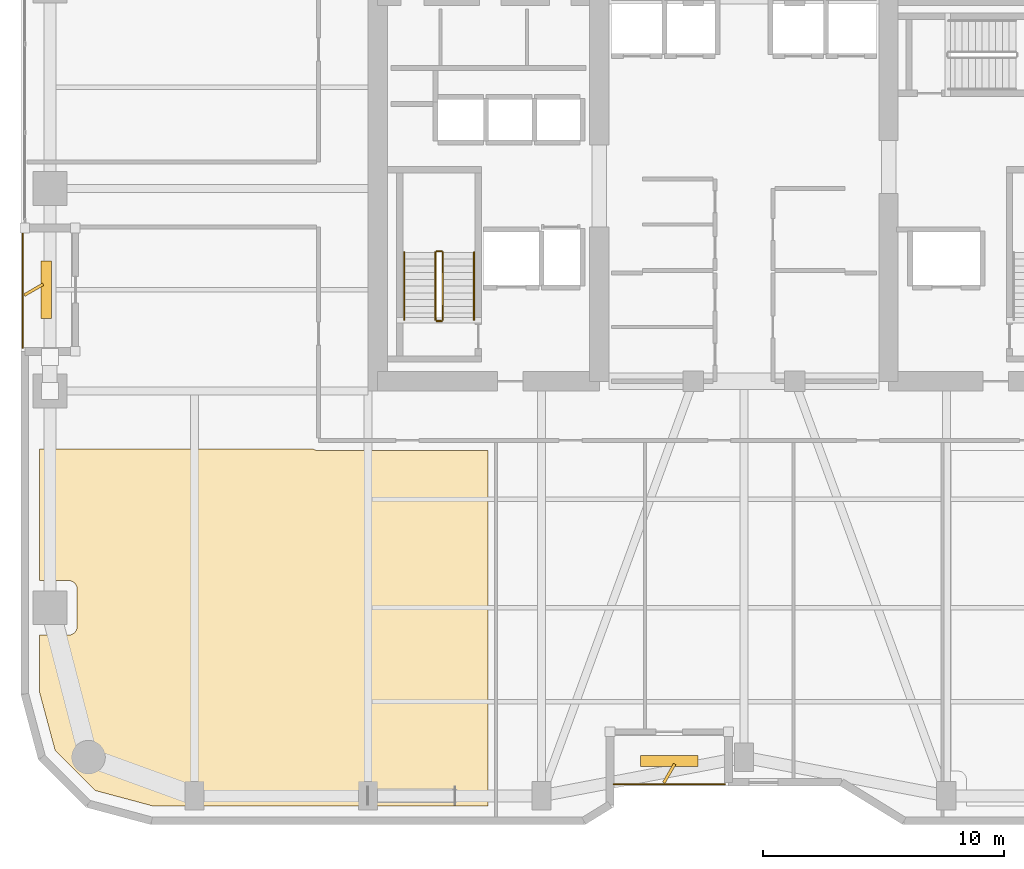
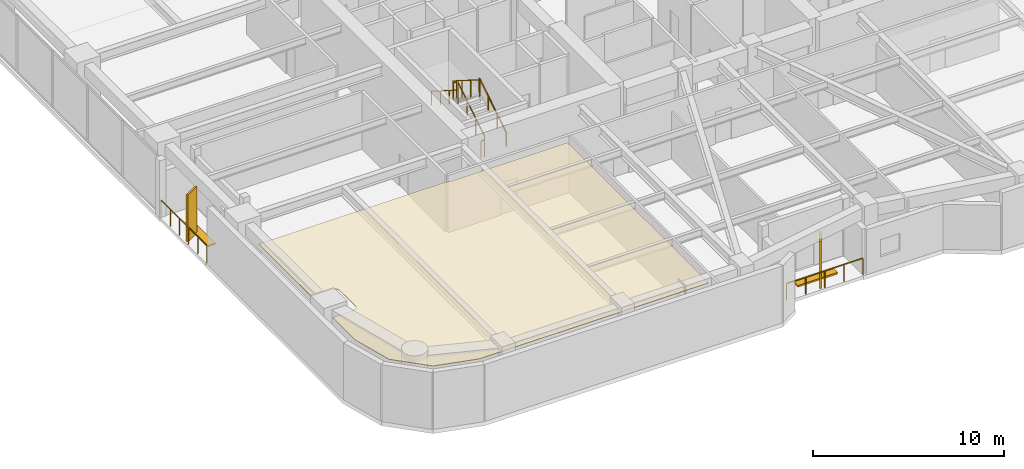
# One storey, part 22 of 24: 8 railings, 4 shading devices, 1 covering.
"""IFC4 building model written with IfcOpenShell, lengths in metres."""

from ifc_helpers import new_model, si_unit, direction, frame, origin, origin_2d, place, context, subcontext, project, spatial, polyline, rectangle, outline, extrude, material, layer, layer_set, type_object, element, save


model = new_model("IFC4")

# Units and contexts
model_context = context("Model", 3, precision=1e-05, world=origin(), true_north=direction((0.0, 1.0)))
body_context = subcontext(model_context, "Body", "Model", "MODEL_VIEW")
ifc_project = project(units=[si_unit("LENGTHUNIT", "METRE"), si_unit("AREAUNIT", "SQUARE_METRE"), si_unit("VOLUMEUNIT", "CUBIC_METRE"), si_unit("PLANEANGLEUNIT", "RADIAN"), si_unit("MASSUNIT", "GRAM", prefix="KILO")], contexts=[model_context])

# Site, building, storey
site_placement = place(None, origin())
site = spatial("IfcSite", under=ifc_project, at=site_placement, CompositionType="ELEMENT")
building_placement = place(site_placement, origin())
building = spatial("IfcBuilding", under=site, at=building_placement, Name="Kiyonajd Concourse Tower", CompositionType="ELEMENT")
storey_placement = place(building_placement, frame((0.0, 0.0, 137.699951171875)))
storey = spatial("IfcBuildingStorey", under=building, at=storey_placement, Name="L35", CompositionType="ELEMENT", Elevation=137.699951171875)

# Covering
ifc_material_1 = material(Name="Natural Oak Acoustic Timber Veneer", Category="wood")
ifc_layer = layer(ifc_material_1, 0.0400390625)
ifc_layer_set = layer_set([ifc_layer], Name="Natural Oak Acoustic Timber Veneer")
covering_type = type_object("IfcCoveringType", Name="CV-CLG-ACST", PredefinedType="CEILING", material=ifc_layer_set)
covering_placement = place(storey_placement, frame((0.0, 0.0, 3.4599609375)))
element("IfcCovering", 1, at=covering_placement, inside=storey, type_object=covering_type, Name="L35-39 Room Acoustic Ceiling", PredefinedType="CEILING", context=body_context, shape_type="SweptSolid", body=[
    extrude(outline(polyline([(19.4140625, 12.697998046875), (18.77001953125, 15.10107421875), (18.77001953125, 17.469970703125), (20.013916015625, 17.471923828125), (20.08203125, 17.485107421875), (20.14501953125, 17.510986328125), (20.201904296875, 17.549072265625), (20.2509765625, 17.597900390625), (20.2890625, 17.655029296875), (20.31494140625, 17.718017578125), (20.330078125, 17.820068359375), (20.327880859375, 19.4140625), (20.31494140625, 19.48193359375), (20.2890625, 19.544921875), (20.22705078125, 19.626953125), (20.14501953125, 19.68896484375), (20.048095703125, 19.722900390625), (19.97998046875, 19.72998046875), (18.77001953125, 19.72998046875), (18.77001953125, 25.199951171875), (30.10205078125, 25.199951171875), (30.156982421875, 25.166015625), (30.219970703125, 25.139892578125), (30.35009765625, 25.1201171875), (37.3701171875, 25.1201171875), (37.3701171875, 10.3701171875), (23.5009765625, 10.3701171875), (21.097900390625, 11.013916015625), (19.4140625, 12.697998046875)])), origin(), (0.0, 0.0, 1.0), 0.0400390625),
])

# Railings
ifc_material_2 = material(Name="Thermally Broken Anodised Aluminium", Category="aluminium")
railing_type_1 = type_object("IfcRailingType", Name="RL-GRD-LOG", PredefinedType="GUARDRAIL", material=ifc_material_2)
railing_1_placement = place(storey_placement, frame((42.60009765625, 11.280029296875, 0.0)))
element("IfcRailing", 2, at=railing_1_placement, inside=storey, type_object=railing_type_1, Name="L35 Engawa Loggia Perimeter Guard LOG-S", PredefinedType="GUARDRAIL", context=body_context, shape_type="SweptSolid", body=[
    extrude(rectangle(XDim=0.048095703125, YDim=0.048095703125, at=origin_2d()), frame((0.0, 0.0, 1.076171875), z_axis=(1.0, 0.0, 0.0), x_axis=(0.0, 1.0, 0.0)), (0.0, 0.0, 1.0), 4.599853515625),
    extrude(rectangle(XDim=0.0419921875, YDim=0.0419921875, at=origin_2d()), origin(), (0.0, 0.0, 1.0), 1.052001953125),
    extrude(rectangle(XDim=0.0419921875, YDim=0.0419921875, at=origin_2d()), frame((1.14990234375, 0.0, 0.0)), (0.0, 0.0, 1.0), 1.052001953125),
    extrude(rectangle(XDim=0.0419921875, YDim=0.0419921875, at=origin_2d()), frame((2.2998046875, 0.0, 0.0)), (0.0, 0.0, 1.0), 1.052001953125),
    extrude(rectangle(XDim=0.0419921875, YDim=0.0419921875, at=origin_2d()), frame((3.449951171875, 0.0, 0.0)), (0.0, 0.0, 1.0), 1.052001953125),
    extrude(rectangle(XDim=0.0419921875, YDim=0.0419921875, at=origin_2d()), frame((4.599853515625, 0.0, 0.0)), (0.0, 0.0, 1.0), 1.052001953125),
])
railing_2_placement = place(storey_placement, frame((18.080078125, 34.199951171875, 0.0)))
element("IfcRailing", 3, at=railing_2_placement, inside=storey, type_object=railing_type_1, Name="L35 Engawa Loggia Perimeter Guard LOG-W", PredefinedType="GUARDRAIL", context=body_context, shape_type="SweptSolid", body=[
    extrude(rectangle(XDim=0.048095703125, YDim=0.048095703125, at=origin_2d()), frame((0.0, 0.0, 1.076171875), z_axis=(0.0, -1.0, 0.0), x_axis=(1.0, 0.0, 0.0)), (0.0, 0.0, 1.0), 4.800048828125),
    extrude(rectangle(XDim=0.0419921875, YDim=0.0419921875, at=origin_2d()), origin(), (0.0, 0.0, 1.0), 1.052001953125),
    extrude(rectangle(XDim=0.0419921875, YDim=0.0419921875, at=origin_2d()), frame((0.0, -0.9599609375, 0.0)), (0.0, 0.0, 1.0), 1.052001953125),
    extrude(rectangle(XDim=0.0419921875, YDim=0.0419921875, at=origin_2d()), frame((0.0, -1.919921875, 0.0)), (0.0, 0.0, 1.0), 1.052001953125),
    extrude(rectangle(XDim=0.0419921875, YDim=0.0419921875, at=origin_2d()), frame((0.0, -2.880126953125, 0.0)), (0.0, 0.0, 1.0), 1.052001953125),
    extrude(rectangle(XDim=0.0419921875, YDim=0.0419921875, at=origin_2d()), frame((0.0, -3.840087890625, 0.0)), (0.0, 0.0, 1.0), 1.052001953125),
    extrude(rectangle(XDim=0.0419921875, YDim=0.0419921875, at=origin_2d()), frame((0.0, -4.800048828125, 0.0)), (0.0, 0.0, 1.0), 1.052001953125),
])
ifc_material_3 = material(Name="Steel ASTM A500 Grade C", Category="steel")
railing_type_2 = type_object("IfcRailingType", Name="RL-GRD-STR", PredefinedType="GUARDRAIL", material=ifc_material_3)
railing_3_placement = place(storey_placement, frame((35.5, 30.550048828125, 0.17724609375)))
element("IfcRailing", 4, at=railing_3_placement, inside=storey, type_object=railing_type_2, Name="L35 ST1 stair guard 1", PredefinedType="GUARDRAIL", context=body_context, shape_type="SweptSolid", body=[
    extrude(rectangle(XDim=0.048095703125, YDim=0.048095703125, at=origin_2d()), frame((0.0, 0.0, 1.076171875), z_axis=(0.0, 0.844908973607, 0.534910110503), x_axis=(-1.0, 0.0, 0.0)), (0.0, 0.0, 1.0), 3.31396484375),
    extrude(rectangle(XDim=0.0419921875, YDim=0.0419921875, at=origin_2d()), origin(), (0.0, 0.0, 1.0), 1.052001953125),
    extrude(rectangle(XDim=0.0419921875, YDim=0.0419921875, at=origin_2d()), frame((0.0, 0.933349609375, 0.5908203125)), (0.0, 0.0, 1.0), 1.052001953125),
    extrude(rectangle(XDim=0.0419921875, YDim=0.0419921875, at=origin_2d()), frame((0.0, 1.86669921875, 1.181884765625)), (0.0, 0.0, 1.0), 1.052001953125),
    extrude(rectangle(XDim=0.0419921875, YDim=0.0419921875, at=origin_2d()), frame((0.0, 2.800048828125, 1.772705078125)), (0.0, 0.0, 1.0), 1.052001953125),
])
railing_4_placement = place(storey_placement, frame((35.449951171875, 33.39990234375, 1.949951171875)))
element("IfcRailing", 5, at=railing_4_placement, inside=storey, type_object=railing_type_2, Name="L35 ST1 stair guard 2", PredefinedType="GUARDRAIL", context=body_context, shape_type="SweptSolid", body=[
    extrude(rectangle(XDim=0.048095703125, YDim=0.048095703125, at=origin_2d()), frame((0.0, 0.0, 1.076171875), z_axis=(-1.0, 0.0, 0.0), x_axis=(0.0, -1.0, 0.0)), (0.0, 0.0, 1.0), 0.199951171875),
    extrude(rectangle(XDim=0.0419921875, YDim=0.0419921875, at=origin_2d()), origin(), (0.0, 0.0, 1.0), 1.052001953125),
    extrude(rectangle(XDim=0.0419921875, YDim=0.0419921875, at=origin_2d()), frame((-0.199951171875, 0.0, 0.0)), (0.0, 0.0, 1.0), 1.052001953125),
])
railing_5_placement = place(storey_placement, frame((35.199951171875, 33.35009765625, 2.12744140625)))
element("IfcRailing", 6, at=railing_5_placement, inside=storey, type_object=railing_type_2, Name="L35 ST1 stair guard 3", PredefinedType="GUARDRAIL", context=body_context, shape_type="SweptSolid", body=[
    extrude(rectangle(XDim=0.048095703125, YDim=0.048095703125, at=origin_2d()), frame((0.0, 0.0, 1.076171875), z_axis=(0.0, -0.844908973607, 0.534910110503), x_axis=(1.0, 0.0, 0.0)), (0.0, 0.0, 1.0), 3.31396484375),
    extrude(rectangle(XDim=0.0419921875, YDim=0.0419921875, at=origin_2d()), origin(), (0.0, 0.0, 1.0), 1.052001953125),
    extrude(rectangle(XDim=0.0419921875, YDim=0.0419921875, at=origin_2d()), frame((0.0, -0.933349609375, 0.5908203125)), (0.0, 0.0, 1.0), 1.052001953125),
    extrude(rectangle(XDim=0.0419921875, YDim=0.0419921875, at=origin_2d()), frame((0.0, -1.86669921875, 1.181884765625)), (0.0, 0.0, 1.0), 1.052001953125),
    extrude(rectangle(XDim=0.0419921875, YDim=0.0419921875, at=origin_2d()), frame((0.0, -2.800048828125, 1.772705078125)), (0.0, 0.0, 1.0), 1.052001953125),
])
railing_6_placement = place(storey_placement, frame((35.449951171875, 30.5, 0.0)))
element("IfcRailing", 7, at=railing_6_placement, inside=storey, type_object=railing_type_2, Name="L35 ST1 stair guard 4", PredefinedType="GUARDRAIL", context=body_context, shape_type="SweptSolid", body=[
    extrude(rectangle(XDim=0.048095703125, YDim=0.048095703125, at=origin_2d()), frame((0.0, 0.0, 1.076171875), z_axis=(-1.0, 0.0, 0.0), x_axis=(0.0, -1.0, 0.0)), (0.0, 0.0, 1.0), 0.199951171875),
    extrude(rectangle(XDim=0.0419921875, YDim=0.0419921875, at=origin_2d()), origin(), (0.0, 0.0, 1.0), 1.052001953125),
    extrude(rectangle(XDim=0.0419921875, YDim=0.0419921875, at=origin_2d()), frame((-0.199951171875, 0.0, 0.0)), (0.0, 0.0, 1.0), 1.052001953125),
])
ifc_material_4 = material(Name="Brushed Stainless Steel Cab Assembly", Category="steel")
railing_type_3 = type_object("IfcRailingType", Name="RL-HND-900", PredefinedType="HANDRAIL", material=ifc_material_4)
railing_7_placement = place(storey_placement, frame((36.800048828125, 30.550048828125, 0.17724609375)))
element("IfcRailing", 8, at=railing_7_placement, inside=storey, type_object=railing_type_3, Name="L35 ST1 stair handrail 1", PredefinedType="HANDRAIL", context=body_context, shape_type="SweptSolid", body=[
    extrude(rectangle(XDim=0.048095703125, YDim=0.048095703125, at=origin_2d()), frame((0.0, 0.0, 0.8759765625), z_axis=(0.0, 0.844908973607, 0.534910110503), x_axis=(-1.0, 0.0, 0.0)), (0.0, 0.0, 1.0), 3.31396484375),
    extrude(rectangle(XDim=0.0419921875, YDim=0.0419921875, at=origin_2d()), origin(), (0.0, 0.0, 1.0), 0.851806640625),
    extrude(rectangle(XDim=0.0419921875, YDim=0.0419921875, at=origin_2d()), frame((0.0, 0.933349609375, 0.5908203125)), (0.0, 0.0, 1.0), 0.851806640625),
    extrude(rectangle(XDim=0.0419921875, YDim=0.0419921875, at=origin_2d()), frame((0.0, 1.86669921875, 1.181884765625)), (0.0, 0.0, 1.0), 0.851806640625),
    extrude(rectangle(XDim=0.0419921875, YDim=0.0419921875, at=origin_2d()), frame((0.0, 2.800048828125, 1.772705078125)), (0.0, 0.0, 1.0), 0.851806640625),
])
railing_8_placement = place(storey_placement, frame((33.89990234375, 33.35009765625, 2.12744140625)))
element("IfcRailing", 9, at=railing_8_placement, inside=storey, type_object=railing_type_3, Name="L35 ST1 stair handrail 2", PredefinedType="HANDRAIL", context=body_context, shape_type="SweptSolid", body=[
    extrude(rectangle(XDim=0.048095703125, YDim=0.048095703125, at=origin_2d()), frame((0.0, 0.0, 0.8759765625), z_axis=(0.0, -0.844908973607, 0.534910110503), x_axis=(1.0, 0.0, 0.0)), (0.0, 0.0, 1.0), 3.31396484375),
    extrude(rectangle(XDim=0.0419921875, YDim=0.0419921875, at=origin_2d()), origin(), (0.0, 0.0, 1.0), 0.851806640625),
    extrude(rectangle(XDim=0.0419921875, YDim=0.0419921875, at=origin_2d()), frame((0.0, -0.933349609375, 0.5908203125)), (0.0, 0.0, 1.0), 0.851806640625),
    extrude(rectangle(XDim=0.0419921875, YDim=0.0419921875, at=origin_2d()), frame((0.0, -1.86669921875, 1.181884765625)), (0.0, 0.0, 1.0), 0.851806640625),
    extrude(rectangle(XDim=0.0419921875, YDim=0.0419921875, at=origin_2d()), frame((0.0, -2.800048828125, 1.772705078125)), (0.0, 0.0, 1.0), 0.851806640625),
])

# Shading devices
ifc_material_5 = material(Name="Precast concrete C50/60", Category="concrete")
shading_device_type_1 = type_object("IfcShadingDeviceType", Name="SH-FIN-900", PredefinedType="USERDEFINED", material=ifc_material_5)
for number, where, z_axis, x_axis, name in (
    (10, (44.89990234375, 11.72998046875, 0.0), (0.0, 0.0, 1.0), (0.5, 0.866025403784, 0.0), "L35 Angled Koshi Solar Fin LOG-S"),
    (11, (18.530029296875, 31.800048828125, 0.0), (0.0, 0.0, 1.0), (0.866025403784, 0.5, 0.0), "L35 Angled Koshi Solar Fin LOG-W"),
):
    element("IfcShadingDevice", number, at=place(storey_placement, frame(where, z_axis=z_axis, x_axis=x_axis)), inside=storey, type_object=shading_device_type_1, Name=name, ObjectType="FIN", PredefinedType="USERDEFINED", context=body_context, shape_type="SweptSolid", body=[
        extrude(rectangle(XDim=0.89990234375, YDim=0.1201171875, at=origin_2d()), origin(), (0.0, 0.0, 1.0), 3.0),
    ])
shading_device_type_2 = type_object("IfcShadingDeviceType", Name="SH-LVR-600", PredefinedType="JALOUSIE", material=ifc_material_2)
for number, where, z_axis, x_axis, name in (
    (12, (44.89990234375, 12.25, 0.0), (0.0, 0.0, 1.0), (1.0, 0.0, 0.0), "L35 Loggia Threshold Louver LOG-S"),
    (13, (19.050048828125, 31.800048828125, 0.0), (0.0, 0.0, 1.0), (0.0, 1.0, 0.0), "L35 Loggia Threshold Louver LOG-W"),
):
    element("IfcShadingDevice", number, at=place(storey_placement, frame(where, z_axis=z_axis, x_axis=x_axis)), inside=storey, type_object=shading_device_type_2, Name=name, PredefinedType="JALOUSIE", context=body_context, shape_type="SweptSolid", body=[
        extrude(rectangle(XDim=2.39990234375, YDim=0.449951171875, at=origin_2d()), origin(), (0.0, 0.0, 1.0), 0.10009765625),
    ])

save(model, "model.ifc")
